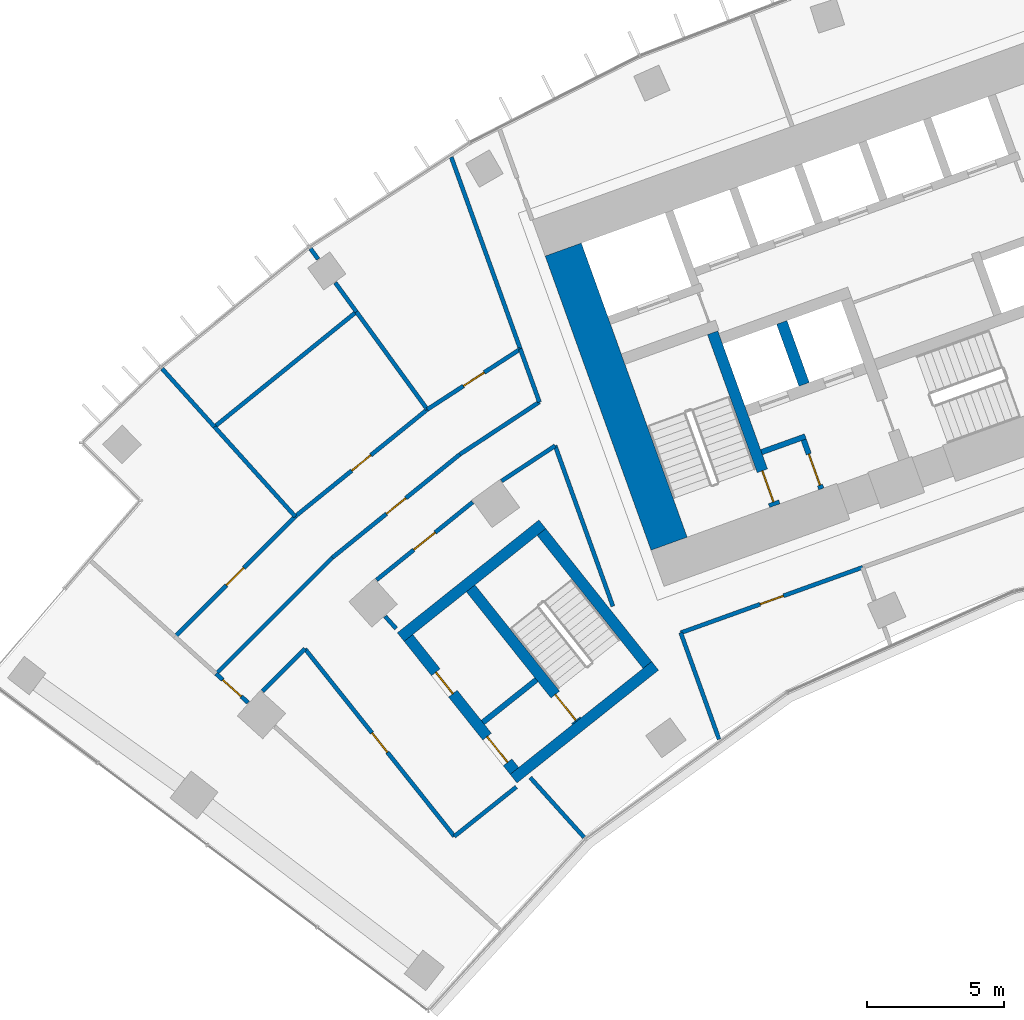
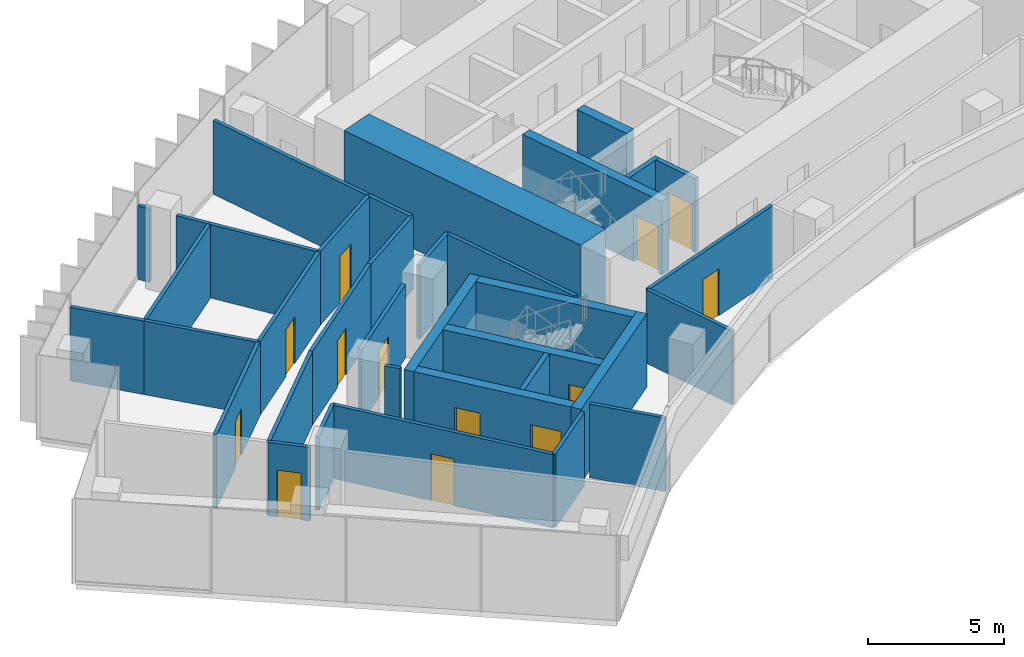
# One storey, part 14 of 21: 36 walls, 13 doors, 13 openings.
"""IFC4 building model written with IfcOpenShell, lengths in metres."""

import ifcopenshell
import ifcopenshell.guid

model = None  # the IFC model being written
_history = None  # IfcOwnerHistory: only IFC2X3 demands one
_inside = {}  # id of a spatial element -> (the spatial element, [elements in it])
_under = {}  # id of a project, library or spatial element -> (it, [spatial elements below it])
_declared = {}  # id of a project -> (the project, [libraries it declares])
_typed = {}  # id of a type object -> (the type object, [elements of that type])
_made_of = {}  # id of a material, layer set ... -> (it, [elements and type objects made of it])


def new_model(schema):
    """Start an empty IFC model of exactly this schema.

    Asked for "IFC4X3", IfcOpenShell would pick the latest addendum, in which some entities
    have other attributes; the version numbers below select the first issue.
    IFC2X3 requires an IfcOwnerHistory on every rooted entity: one is made here for all.
    """
    global model, _history
    if schema == "IFC4X3":
        model = ifcopenshell.file(schema_version=(4, 3, 0, 0))
    else:
        model = ifcopenshell.file(schema=schema)
    _inside.clear()
    _under.clear()
    _declared.clear()
    _typed.clear()
    _made_of.clear()
    _history = None
    if model.schema == "IFC2X3":
        org = make("IfcOrganization", Name="unknown")
        user = make(
            "IfcPersonAndOrganization",
            ThePerson=make("IfcPerson", FamilyName="unknown"),
            TheOrganization=org,
        )
        app = make(
            "IfcApplication",
            ApplicationDeveloper=org,
            Version="unknown",
            ApplicationFullName="unknown",
            ApplicationIdentifier="unknown",
        )
        _history = make(
            "IfcOwnerHistory",
            OwningUser=user,
            OwningApplication=app,
            ChangeAction="ADDED",
            CreationDate=0,
        )
    return model


def make(cls, **values):
    """One entity of the class cls with the attributes given. An attribute that is None is left unset."""
    return model.create_entity(
        cls, **{name: value for name, value in values.items() if value is not None}
    )


def rooted(cls, **values):
    """An entity with a GlobalId (a new one), such as an element, a storey or a relation."""
    return make(cls, GlobalId=ifcopenshell.guid.new(), OwnerHistory=_history, **values)


def si_unit(unit_type, name, prefix=None):
    """IfcSIUnit, for example si_unit("LENGTHUNIT", "METRE", prefix="MILLI")."""
    return make("IfcSIUnit", UnitType=unit_type, Prefix=prefix, Name=name)


def assignment(units):
    """IfcUnitAssignment: the units of a project."""
    return None if units is None else make("IfcUnitAssignment", Units=units)


def point(xyz):
    """IfcCartesianPoint."""
    return None if xyz is None else make("IfcCartesianPoint", Coordinates=xyz)


def direction(xyz):
    """IfcDirection."""
    return None if xyz is None else make("IfcDirection", DirectionRatios=xyz)


def frame(location, z_axis=None, x_axis=None):
    """IfcAxis2Placement3D, a coordinate frame: its origin and axes. An axis left out is left unset."""
    return make(
        "IfcAxis2Placement3D",
        Location=point(location),
        Axis=direction(z_axis),
        RefDirection=direction(x_axis),
    )


def frame_2d(location, x_axis=None):
    """IfcAxis2Placement2D, a coordinate frame in the plane: its origin and x axis."""
    return make(
        "IfcAxis2Placement2D", Location=point(location), RefDirection=direction(x_axis)
    )


def origin():
    """The frame at (0, 0, 0) with its axes left unset."""
    return frame((0.0, 0.0, 0.0))


def place(relative_to, where):
    """IfcLocalPlacement: puts the frame where relative to a parent placement (None: the world)."""
    return make(
        "IfcLocalPlacement", PlacementRelTo=relative_to, RelativePlacement=where
    )


def context(
    kind, dimensions, precision=None, world=None, true_north=None, identifier=None
):
    """IfcGeometricRepresentationContext, for example the 3D "Model" context."""
    return make(
        "IfcGeometricRepresentationContext",
        ContextIdentifier=identifier,
        ContextType=kind,
        CoordinateSpaceDimension=dimensions,
        Precision=precision,
        WorldCoordinateSystem=world,
        TrueNorth=true_north,
    )


def subcontext(parent, identifier, kind, view, scale=None):
    """IfcGeometricRepresentationSubContext, for example "Body" below "Model"."""
    return make(
        "IfcGeometricRepresentationSubContext",
        ContextIdentifier=identifier,
        ContextType=kind,
        ParentContext=parent,
        TargetScale=scale,
        TargetView=view,
    )


def project(units=None, contexts=None):
    """IfcProject with its units and contexts."""
    return rooted(
        "IfcProject",
        Name="project",
        RepresentationContexts=contexts,
        UnitsInContext=assignment(units),
    )


def spatial(cls, under=None, at=None, **own):
    """A site, building, storey or space (cls), placed at a placement, below another one or the project."""
    s = rooted(cls, ObjectPlacement=at, **own)
    if under is not None:
        _under.setdefault(under.id(), (under, []))[1].append(s)
    return s


def profile(cls, at=None, kind="AREA", **sizes):
    """A parametric profile (cls). Its sizes go by their IFC names, for example OverallWidth=200.0."""
    return make(cls, ProfileType=kind, Position=at, **sizes)


def rectangle(**sizes):
    """IfcRectangleProfileDef."""
    return profile("IfcRectangleProfileDef", **sizes)


def extrude(swept, where, along, depth):
    """IfcExtrudedAreaSolid: the profile swept, set in the frame where, extruded along a direction by depth."""
    return make(
        "IfcExtrudedAreaSolid",
        SweptArea=swept,
        Position=where,
        ExtrudedDirection=direction(along),
        Depth=depth,
    )


def shape(context_of_items, identifier, shape_type, items):
    """IfcShapeRepresentation: the items that make up one representation, for example the "Body"."""
    return make(
        "IfcShapeRepresentation",
        ContextOfItems=context_of_items,
        RepresentationIdentifier=identifier,
        RepresentationType=shape_type,
        Items=items,
    )


def material(Name=None, Category=None):
    """IfcMaterial."""
    return make("IfcMaterial", Name=Name, Category=Category)


def layer(
    of_material, thickness, ventilated=None, Name=None, Category=None, Priority=None
):
    """IfcMaterialLayer: one layer of a wall or slab, of a material (None: an air gap)."""
    return make(
        "IfcMaterialLayer",
        Material=of_material,
        LayerThickness=thickness,
        IsVentilated=ventilated,
        Name=Name,
        Category=Category,
        Priority=Priority,
    )


def layer_set(layers, Name=None):
    """IfcMaterialLayerSet."""
    return make("IfcMaterialLayerSet", MaterialLayers=layers, LayerSetName=Name)


def made_of(thing, what):
    """Note that an element or type object is made of a material, layer set ...; save() writes the relation."""
    if what is not None:
        _made_of.setdefault(what.id(), (what, []))[1].append(thing)
    return thing


def type_object(cls, material=None, **own):
    """A type object (cls), such as IfcWallType, which elements share."""
    return made_of(rooted(cls, **own), material)


def element(
    cls,
    number,
    at=None,
    inside=None,
    cuts=None,
    type_object=None,
    material=None,
    context=None,
    identifier="Body",
    shape_type=None,
    held_by="IfcProductDefinitionShape",
    body=None,
    shapes=None,
    **own,
):
    """One element of the class cls, such as IfcWall. Its Tag is "e" and its number.

    at: its placement. inside: the storey or other place that contains it. cuts: it is an
    opening in that element (IfcRelVoidsElement). A single representation is given by context,
    identifier, shape_type and body (its items); several are given by shapes. held_by: the class
    of the entity that holds the representations. save() writes the other relations.
    """
    e = rooted(cls, Tag="e%d" % number, ObjectPlacement=at, **own)
    if body is not None:
        shapes = [shape(context, identifier, shape_type, body)]
    if shapes is not None:
        e.Representation = make(held_by, Representations=shapes)
    if inside is not None:
        _inside.setdefault(inside.id(), (inside, []))[1].append(e)
    if cuts is not None:
        rooted(
            "IfcRelVoidsElement", RelatingBuildingElement=cuts, RelatedOpeningElement=e
        )
    if type_object is not None:
        _typed.setdefault(type_object.id(), (type_object, []))[1].append(e)
    return made_of(e, material)


def fill(opening, filler):
    """IfcRelFillsElement: the door or window that sits in an opening."""
    return rooted(
        "IfcRelFillsElement",
        RelatingOpeningElement=opening,
        RelatedBuildingElement=filler,
    )


def aggregate(whole, parts):
    """IfcRelAggregates: a whole, such as a stair, and the parts it consists of."""
    return rooted("IfcRelAggregates", RelatingObject=whole, RelatedObjects=parts)


def save(model, path):
    """Write the relations noted so far, then the file.

    IfcRelAggregates (storeys below a building ...), IfcRelContainedInSpatialStructure (elements
    in a storey), IfcRelDefinesByType, IfcRelAssociatesMaterial and IfcRelDeclares: one each for
    every whole, place, type object, material and project.
    """
    for whole, parts in _under.values():
        aggregate(whole, parts)
    for where, things in _inside.values():
        rooted(
            "IfcRelContainedInSpatialStructure",
            RelatedElements=things,
            RelatingStructure=where,
        )
    for kind, things in _typed.values():
        rooted("IfcRelDefinesByType", RelatedObjects=things, RelatingType=kind)
    for what, things in _made_of.values():
        rooted("IfcRelAssociatesMaterial", RelatedObjects=things, RelatingMaterial=what)
    for by, libraries in _declared.values():
        rooted("IfcRelDeclares", RelatingContext=by, RelatedDefinitions=libraries)
    model.write(path)


model = new_model("IFC4")

# Units and contexts
model_context = context("Model", 3, precision=1e-05, world=origin(), true_north=direction((0.0, 1.0)))
body_context = subcontext(model_context, "Body", "Model", "MODEL_VIEW")
ifc_project = project(units=[si_unit("LENGTHUNIT", "METRE"), si_unit("AREAUNIT", "SQUARE_METRE"), si_unit("VOLUMEUNIT", "CUBIC_METRE"), si_unit("PLANEANGLEUNIT", "RADIAN"), si_unit("MASSUNIT", "GRAM", prefix="KILO")], contexts=[model_context])

# Site, building, storey
site_placement = place(None, origin())
site = spatial("IfcSite", under=ifc_project, at=site_placement, CompositionType="ELEMENT")
building_placement = place(site_placement, origin())
building = spatial("IfcBuilding", under=site, at=building_placement, Name="Stone Belt Terrace Tower", CompositionType="ELEMENT")
storey_placement = place(building_placement, frame((0.0, 0.0, 189.60009765625)))
storey = spatial("IfcBuildingStorey", under=building, at=storey_placement, Name="L46", CompositionType="ELEMENT", Elevation=189.60009765625)

# Walls
ifc_material_1 = material(Name="Concrete B80", Category="concrete")
ifc_layer_1 = layer(ifc_material_1, 1.39990234375)
ifc_layer_set_1 = layer_set([ifc_layer_1], Name="Core wall 1400 B80")
wall_type_1 = type_object("IfcWallType", Name="Core wall 1400 B80", PredefinedType="SHEAR", material=ifc_layer_set_1)
wall_1_placement = place(storey_placement, frame((-26.00927734375, 43.03515625, 0.0), z_axis=(0.0, 0.0, 1.0), x_axis=(-0.338625431531, 0.940921259788, 0.0)))
element("IfcWall", 1, at=wall_1_placement, inside=storey, type_object=wall_type_1, Name="Core A wall end_a L46", PredefinedType="SHEAR", context=body_context, shape_type="SweptSolid", body=[
    extrude(rectangle(XDim=11.400146484375, YDim=1.39990234375, at=frame_2d((5.7001953125, 0.0))), origin(), (0.0, 0.0, 1.0), 3.7998046875),
])
ifc_layer_2 = layer(ifc_material_1, 0.39990234375)
ifc_layer_set_2 = layer_set([ifc_layer_2], Name="Fire-fighting lift shaft wall 400")
wall_type_2 = type_object("IfcWallType", Name="Fire-fighting lift shaft wall 400", PredefinedType="SHEAR", material=ifc_layer_set_2)
wall_2_placement = place(storey_placement, frame((-21.0859375, 48.845458984375, 0.0), z_axis=(0.0, 0.0, 1.0), x_axis=(-0.338629416206, 0.940919825745, 0.0)))
element("IfcWall", 2, at=wall_2_placement, inside=storey, type_object=wall_type_2, Name="Core A wall", PredefinedType="SHEAR", context=body_context, shape_type="SweptSolid", body=[
    extrude(rectangle(XDim=2.400146484375, YDim=0.39990234375, at=frame_2d((1.2001953125, 0.0))), origin(), (0.0, 0.0, 1.0), 3.2998046875),
])
ifc_material_2 = material(Name="Gypsum board partition")
ifc_layer_3 = layer(ifc_material_2, 0.14990234375)
ifc_layer_set_3 = layer_set([ifc_layer_3], Name="PARTITION 150 EI 60")
wall_type_3 = type_object("IfcWallType", Name="PARTITION 150 EI 60", PredefinedType="PARTITIONING", material=ifc_layer_set_3)
wall_3_placement = place(storey_placement, frame((-25.5859375, 39.79296875, 0.0), z_axis=(0.0, 0.0, 1.0), x_axis=(0.338545933013, -0.940949866486, 0.0)))
element("IfcWall", 3, at=wall_3_placement, inside=storey, type_object=wall_type_3, Name="L46/wall/i001", PredefinedType="PARTITIONING", context=body_context, shape_type="SweptSolid", body=[
    extrude(rectangle(XDim=4.135009765625, YDim=0.14990234375, at=frame_2d((2.0673828125, 0.0))), origin(), (0.0, 0.0, 1.0), 3.2998046875),
])
wall_4_placement = place(storey_placement, frame((-28.05810546875, 40.75390625, 0.0), z_axis=(0.0, 0.0, 1.0), x_axis=(-0.338523697563, 0.94095786632, 0.0)))
element("IfcWall", 4, at=wall_4_placement, inside=storey, type_object=wall_type_3, Name="L46/wall/i003", PredefinedType="PARTITIONING", context=body_context, shape_type="SweptSolid", body=[
    extrude(rectangle(XDim=6.226806640625, YDim=0.14990234375, at=frame_2d((3.11328125, 0.0))), origin(), (0.0, 0.0, 1.0), 3.2998046875),
])
wall_5_placement = place(storey_placement, frame((-29.107177734375, 32.32666015625, 0.0), z_axis=(0.0, 0.0, 1.0), x_axis=(-0.669245075227, 0.74304174128, 0.0)))
element("IfcWall", 5, at=wall_5_placement, inside=storey, type_object=wall_type_3, Name="L46/wall/i004", PredefinedType="PARTITIONING", context=body_context, shape_type="SweptSolid", body=[
    extrude(rectangle(XDim=2.9345703125, YDim=0.14990234375, at=frame_2d((1.46728515625, 0.0))), origin(), (0.0, 0.0, 1.0), 3.2998046875),
])
wall_6_placement = place(storey_placement, frame((-30.737060546875, 48.197021484375, 0.0), z_axis=(0.0, 0.0, 1.0), x_axis=(-0.338522672426, 0.940958235127, 0.0)))
element("IfcWall", 6, at=wall_6_placement, inside=storey, type_object=wall_type_3, Name="L46/wall/i005", PredefinedType="PARTITIONING", context=body_context, shape_type="SweptSolid", body=[
    extrude(rectangle(XDim=2.064697265625, YDim=0.14990234375, at=frame_2d((1.0322265625, 0.0))), origin(), (0.0, 0.0, 1.0), 3.2998046875),
])
wall_7_placement = place(storey_placement, frame((-31.431884765625, 50.12890625, 0.0), z_axis=(0.0, 0.0, 1.0), x_axis=(-0.338627692375, 0.940920446136, 0.0)))
element("IfcWall", 7, at=wall_7_placement, inside=storey, type_object=wall_type_3, Name="L46/wall/i006", PredefinedType="PARTITIONING", context=body_context, shape_type="SweptSolid", body=[
    extrude(rectangle(XDim=7.44189453125, YDim=0.14990234375, at=frame_2d((3.720947265625, 0.0))), origin(), (0.0, 0.0, 1.0), 3.2998046875),
])

# Wall, opening, door
wall_8_placement = place(storey_placement, frame((-18.947998046875, 42.175048828125, 0.0), z_axis=(0.0, 0.0, 1.0), x_axis=(-0.940933298145, -0.338591979293, 0.0)))
wall_8 = element("IfcWall", 8, at=wall_8_placement, inside=storey, type_object=wall_type_3, Name="L46/wall/i011", PredefinedType="PARTITIONING", context=body_context, shape_type="SweptSolid", body=[
    extrude(rectangle(XDim=7.052490234375, YDim=0.14990234375, at=frame_2d((3.5263671875, 0.0))), origin(), (0.0, 0.0, 1.0), 3.2998046875),
])
opening_1_placement = place(wall_8_placement, frame((3.076416015625, 0.0, 0.0)))
opening_1 = element("IfcOpeningElement", 9, at=opening_1_placement, cuts=wall_8, Name="Opening D-C5-01", PredefinedType="OPENING", context=body_context, shape_type="SweptSolid", body=[
    extrude(rectangle(XDim=0.89990234375, YDim=2.10009765625, at=frame_2d((0.449951171875, 1.050048828125))), frame((0.0, 0.0849609375, 0.0), z_axis=(0.0, -1.0, 0.0), x_axis=(1.0, 0.0, 0.0)), (0.0, 0.0, 1.0), 0.169921875),
])
ifc_material_3 = material(Name="Timber door leaf", Category="wood")
door_type_1 = type_object("IfcDoorType", Name="OFFICE DOOR 900 X 2100", OperationType="NOTDEFINED", PredefinedType="DOOR", material=ifc_material_3)
door_1_placement = place(opening_1_placement, origin())
door_1 = element("IfcDoor", 10, at=door_1_placement, inside=storey, type_object=door_type_1, Name="L46/door/i01", OperationType="SINGLE_SWING_RIGHT", OverallHeight=2.10009765625, OverallWidth=0.89990234375, PredefinedType="DOOR", context=body_context, shape_type="SweptSolid", body=[
    extrude(rectangle(XDim=0.89990234375, YDim=2.10009765625, at=frame_2d((0.449951171875, 1.050048828125))), frame((0.0, 0.02490234375, 0.0), z_axis=(0.0, -1.0, 0.0), x_axis=(1.0, 0.0, 0.0)), (0.0, 0.0, 1.0), 0.050048828125),
])
fill(opening_1, door_1)

wall_9_placement = place(storey_placement, frame((-41.35986328125, 37.240478515625, 0.0), z_axis=(0.0, 0.0, 1.0), x_axis=(-0.742885543222, 0.669418456327, 0.0)))
wall_9 = element("IfcWall", 11, at=wall_9_placement, inside=storey, type_object=wall_type_3, Name="L46/wall/i029", PredefinedType="PARTITIONING", context=body_context, shape_type="SweptSolid", body=[
    extrude(rectangle(XDim=1.5751953125, YDim=0.14990234375, at=frame_2d((0.78759765625, 0.0))), origin(), (0.0, 0.0, 1.0), 3.2998046875),
])
opening_2_placement = place(wall_9_placement, frame((0.337646484375, 0.0, 0.0)))
opening_2 = element("IfcOpeningElement", 12, at=opening_2_placement, cuts=wall_9, Name="Opening D-C5-09", PredefinedType="OPENING", context=body_context, shape_type="SweptSolid", body=[
    extrude(rectangle(XDim=0.89990234375, YDim=2.10009765625, at=frame_2d((0.449951171875, 1.050048828125))), frame((0.0, 0.0849609375, 0.0), z_axis=(0.0, -1.0, 0.0), x_axis=(1.0, 0.0, 0.0)), (0.0, 0.0, 1.0), 0.169921875),
])
ifc_material_4 = material(Name="Timber fire door leaf", Category="wood")
door_type_2 = type_object("IfcDoorType", Name="TENANCY ENTRANCE DOOR 900 X 2100", OperationType="NOTDEFINED", PredefinedType="DOOR", material=ifc_material_4)
door_2_placement = place(opening_2_placement, origin())
door_2 = element("IfcDoor", 13, at=door_2_placement, inside=storey, type_object=door_type_2, Name="L46/door/i09", OperationType="SINGLE_SWING_RIGHT", OverallHeight=2.10009765625, OverallWidth=0.89990234375, PredefinedType="DOOR", context=body_context, shape_type="SweptSolid", body=[
    extrude(rectangle(XDim=0.89990234375, YDim=2.10009765625, at=frame_2d((0.449951171875, 1.050048828125))), frame((0.0, 0.02490234375, 0.0), z_axis=(0.0, -1.0, 0.0), x_axis=(1.0, 0.0, 0.0)), (0.0, 0.0, 1.0), 0.050048828125),
])
fill(opening_2, door_2)

# Wall
wall_10_placement = place(storey_placement, frame((-30.1640625, 46.60693359375, 0.0), z_axis=(0.0, 0.0, 1.0), x_axis=(-0.835406992815, -0.549631837102, 0.0)))
element("IfcWall", 14, at=wall_10_placement, inside=storey, type_object=wall_type_3, Name="L46/wall/i033", PredefinedType="PARTITIONING", context=body_context, shape_type="SweptSolid", body=[
    extrude(rectangle(XDim=2.339111328125, YDim=0.14990234375, at=frame_2d((1.16943359375, 0.0))), origin(), (0.0, 0.0, 1.0), 3.2998046875),
])

# Wall, opening, door
wall_11_placement = place(storey_placement, frame((-33.17578125, 44.548095703125, 0.0), z_axis=(0.0, 0.0, 1.0), x_axis=(-0.777148951547, -0.629316698578, 0.0)))
wall_11 = element("IfcWall", 15, at=wall_11_placement, inside=storey, type_object=wall_type_3, Name="L46/wall/i034", PredefinedType="PARTITIONING", context=body_context, shape_type="SweptSolid", body=[
    extrude(rectangle(XDim=4.505126953125, YDim=0.14990234375, at=frame_2d((2.25244140625, 0.0))), origin(), (0.0, 0.0, 1.0), 3.2998046875),
])
opening_3_placement = place(wall_11_placement, frame((1.752685546875, 0.0, 0.0)))
opening_3 = element("IfcOpeningElement", 16, at=opening_3_placement, cuts=wall_11, Name="Opening D-C5-10", PredefinedType="OPENING", context=body_context, shape_type="SweptSolid", body=[
    extrude(rectangle(XDim=1.0, YDim=2.10009765625, at=frame_2d((0.5, 1.050048828125))), frame((0.0, 0.0849609375, 0.0), z_axis=(0.0, -1.0, 0.0), x_axis=(1.0, 0.0, 0.0)), (0.0, 0.0, 1.0), 0.169921875),
])
door_type_3 = type_object("IfcDoorType", Name="TENANCY ENTRANCE DOOR 1000 X 2100", OperationType="NOTDEFINED", PredefinedType="DOOR", material=ifc_material_4)
door_3_placement = place(opening_3_placement, origin())
door_3 = element("IfcDoor", 17, at=door_3_placement, inside=storey, type_object=door_type_3, Name="L46/door/i10", OperationType="SINGLE_SWING_RIGHT", OverallHeight=2.10009765625, OverallWidth=1.0, PredefinedType="DOOR", context=body_context, shape_type="SweptSolid", body=[
    extrude(rectangle(XDim=1.0, YDim=2.10009765625, at=frame_2d((0.5, 1.050048828125))), frame((0.0, 0.02490234375, 0.0), z_axis=(0.0, -1.0, 0.0), x_axis=(1.0, 0.0, 0.0)), (0.0, 0.0, 1.0), 0.050048828125),
])
fill(opening_3, door_3)

# Walls
wall_12_placement = place(storey_placement, frame((-39.281982421875, 39.205078125, 0.0), z_axis=(0.0, 0.0, 1.0), x_axis=(-0.707106781187, -0.707106781187, 0.0)))
element("IfcWall", 18, at=wall_12_placement, inside=storey, type_object=wall_type_3, Name="L46/wall/i035", PredefinedType="PARTITIONING", context=body_context, shape_type="SweptSolid", body=[
    extrude(rectangle(XDim=2.1982421875, YDim=0.14990234375, at=frame_2d((1.09912109375, 0.0))), origin(), (0.0, 0.0, 1.0), 3.2998046875),
])
wall_13_placement = place(storey_placement, frame((-42.52587890625, 38.291015625, 0.0), z_axis=(0.0, 0.0, 1.0), x_axis=(0.707106781187, 0.707106781187, 0.0)))
element("IfcWall", 19, at=wall_13_placement, inside=storey, type_object=wall_type_3, Name="L46/wall/i036", PredefinedType="PARTITIONING", context=body_context, shape_type="SweptSolid", body=[
    extrude(rectangle(XDim=5.989013671875, YDim=0.14990234375, at=frame_2d((2.99462890625, 0.0))), origin(), (0.0, 0.0, 1.0), 3.2998046875),
])

# Wall, opening, door
wall_14_placement = place(storey_placement, frame((-38.291015625, 42.52587890625, 0.0), z_axis=(0.0, 0.0, 1.0), x_axis=(0.777109127033, 0.629365875054, 0.0)))
wall_14 = element("IfcWall", 20, at=wall_14_placement, inside=storey, type_object=wall_type_3, Name="L46/wall/i037", PredefinedType="PARTITIONING", context=body_context, shape_type="SweptSolid", body=[
    extrude(rectangle(XDim=5.990234375, YDim=0.14990234375, at=frame_2d((2.9951171875, 0.0))), origin(), (0.0, 0.0, 1.0), 3.2998046875),
])
opening_4_placement = place(wall_14_placement, frame((2.545166015625, 0.0, 0.0)))
opening_4 = element("IfcOpeningElement", 21, at=opening_4_placement, cuts=wall_14, Name="Opening D-C5-12", PredefinedType="OPENING", context=body_context, shape_type="SweptSolid", body=[
    extrude(rectangle(XDim=0.89990234375, YDim=2.10009765625, at=frame_2d((0.449951171875, 1.050048828125))), frame((0.0, 0.0849609375, 0.0), z_axis=(0.0, -1.0, 0.0), x_axis=(1.0, 0.0, 0.0)), (0.0, 0.0, 1.0), 0.169921875),
])
door_4_placement = place(opening_4_placement, origin())
door_4 = element("IfcDoor", 22, at=door_4_placement, inside=storey, type_object=door_type_1, Name="L46/door/i12", OperationType="SINGLE_SWING_RIGHT", OverallHeight=2.10009765625, OverallWidth=0.89990234375, PredefinedType="DOOR", context=body_context, shape_type="SweptSolid", body=[
    extrude(rectangle(XDim=0.89990234375, YDim=2.10009765625, at=frame_2d((0.449951171875, 1.050048828125))), frame((0.0, 0.02490234375, 0.0), z_axis=(0.0, -1.0, 0.0), x_axis=(1.0, 0.0, 0.0)), (0.0, 0.0, 1.0), 0.050048828125),
])
fill(opening_4, door_4)

# Walls
wall_15_placement = place(storey_placement, frame((-33.635986328125, 46.2958984375, 0.0), z_axis=(0.0, 0.0, 1.0), x_axis=(0.835274160171, 0.549833681535, 0.0)))
element("IfcWall", 23, at=wall_15_placement, inside=storey, type_object=wall_type_3, Name="L46/wall/i038", PredefinedType="PARTITIONING", context=body_context, shape_type="SweptSolid", body=[
    extrude(rectangle(XDim=3.46826171875, YDim=0.14990234375, at=frame_2d((1.734130859375, 0.0))), origin(), (0.0, 0.0, 1.0), 3.2998046875),
])
wall_16_placement = place(storey_placement, frame((-36.364013671875, 40.38623046875, 0.0), z_axis=(0.0, 0.0, 1.0), x_axis=(0.668964731622, -0.743294146247, 0.0)))
element("IfcWall", 24, at=wall_16_placement, inside=storey, type_object=wall_type_3, Name="L46/wall/i039", PredefinedType="PARTITIONING", context=body_context, shape_type="SweptSolid", body=[
    extrude(rectangle(XDim=0.597900390625, YDim=0.14990234375, at=frame_2d((0.298828125, 0.0))), origin(), (0.0, 0.0, 1.0), 3.2998046875),
])
wall_17_placement = place(storey_placement, frame((-31.58203125, 34.1640625, 0.0), z_axis=(0.0, 0.0, 1.0), x_axis=(-0.78211299795, -0.623136629029, 0.0)))
element("IfcWall", 25, at=wall_17_placement, inside=storey, type_object=wall_type_3, Name="L46/wall/i040", PredefinedType="PARTITIONING", context=body_context, shape_type="SweptSolid", body=[
    extrude(rectangle(XDim=2.88720703125, YDim=0.14990234375, at=frame_2d((1.443603515625, 0.0))), origin(), (0.0, 0.0, 1.0), 3.2998046875),
])

# Wall, opening, door
wall_18_placement = place(storey_placement, frame((-33.841064453125, 32.365966796875, 0.0), z_axis=(0.0, 0.0, 1.0), x_axis=(-0.623078744687, 0.782159112917, 0.0)))
wall_18 = element("IfcWall", 26, at=wall_18_placement, inside=storey, type_object=wall_type_3, Name="L46/wall/i041", PredefinedType="PARTITIONING", context=body_context, shape_type="SweptSolid", body=[
    extrude(rectangle(XDim=8.738525390625, YDim=0.14990234375, at=frame_2d((4.369140625, 0.0))), origin(), (0.0, 0.0, 1.0), 3.2998046875),
])
opening_5_placement = place(wall_18_placement, frame((3.91943359375, 0.0, 0.0)))
opening_5 = element("IfcOpeningElement", 27, at=opening_5_placement, cuts=wall_18, Name="Opening D-C5-11", PredefinedType="OPENING", context=body_context, shape_type="SweptSolid", body=[
    extrude(rectangle(XDim=0.89990234375, YDim=2.10009765625, at=frame_2d((0.449951171875, 1.050048828125))), frame((0.0, 0.0849609375, 0.0), z_axis=(0.0, -1.0, 0.0), x_axis=(1.0, 0.0, 0.0)), (0.0, 0.0, 1.0), 0.169921875),
])
door_5_placement = place(opening_5_placement, origin())
door_5 = element("IfcDoor", 28, at=door_5_placement, inside=storey, type_object=door_type_1, Name="L46/door/i11", OperationType="SINGLE_SWING_RIGHT", OverallHeight=2.10009765625, OverallWidth=0.89990234375, PredefinedType="DOOR", context=body_context, shape_type="SweptSolid", body=[
    extrude(rectangle(XDim=0.89990234375, YDim=2.10009765625, at=frame_2d((0.449951171875, 1.050048828125))), frame((0.0, 0.02490234375, 0.0), z_axis=(0.0, -1.0, 0.0), x_axis=(1.0, 0.0, 0.0)), (0.0, 0.0, 1.0), 0.050048828125),
])
fill(opening_5, door_5)

wall_19_placement = place(storey_placement, frame((-44.029052734375, 39.64501953125, 0.0), z_axis=(0.0, 0.0, 1.0), x_axis=(0.707106781187, 0.707106781187, 0.0)))
wall_19 = element("IfcWall", 29, at=wall_19_placement, inside=storey, type_object=wall_type_3, Name="L46/wall/i042", PredefinedType="PARTITIONING", context=body_context, shape_type="SweptSolid", body=[
    extrude(rectangle(XDim=6.201416015625, YDim=0.14990234375, at=frame_2d((3.1005859375, 0.0))), origin(), (0.0, 0.0, 1.0), 3.2998046875),
])
opening_6_placement = place(wall_19_placement, frame((2.650634765625, 0.0, 0.0)))
opening_6 = element("IfcOpeningElement", 30, at=opening_6_placement, cuts=wall_19, Name="Opening D-C5-13", PredefinedType="OPENING", context=body_context, shape_type="SweptSolid", body=[
    extrude(rectangle(XDim=0.89990234375, YDim=2.10009765625, at=frame_2d((0.449951171875, 1.050048828125))), frame((0.0, 0.0849609375, 0.0), z_axis=(0.0, -1.0, 0.0), x_axis=(1.0, 0.0, 0.0)), (0.0, 0.0, 1.0), 0.169921875),
])
door_6_placement = place(opening_6_placement, origin())
door_6 = element("IfcDoor", 31, at=door_6_placement, inside=storey, type_object=door_type_1, Name="L46/door/i13", OperationType="SINGLE_SWING_RIGHT", OverallHeight=2.10009765625, OverallWidth=0.89990234375, PredefinedType="DOOR", context=body_context, shape_type="SweptSolid", body=[
    extrude(rectangle(XDim=0.89990234375, YDim=2.10009765625, at=frame_2d((0.449951171875, 1.050048828125))), frame((0.0, 0.02490234375, 0.0), z_axis=(0.0, -1.0, 0.0), x_axis=(1.0, 0.0, 0.0)), (0.0, 0.0, 1.0), 0.050048828125),
])
fill(opening_6, door_6)

wall_20_placement = place(storey_placement, frame((-39.64404296875, 44.030029296875, 0.0), z_axis=(0.0, 0.0, 1.0), x_axis=(0.777190769916, 0.629265053184, 0.0)))
wall_20 = element("IfcWall", 32, at=wall_20_placement, inside=storey, type_object=wall_type_3, Name="L46/wall/i043", PredefinedType="PARTITIONING", context=body_context, shape_type="SweptSolid", body=[
    extrude(rectangle(XDim=6.20068359375, YDim=0.14990234375, at=frame_2d((3.100341796875, 0.0))), origin(), (0.0, 0.0, 1.0), 3.2998046875),
])
opening_7_placement = place(wall_20_placement, frame((2.650390625, 0.0, 0.0)))
opening_7 = element("IfcOpeningElement", 33, at=opening_7_placement, cuts=wall_20, Name="Opening D-C5-14", PredefinedType="OPENING", context=body_context, shape_type="SweptSolid", body=[
    extrude(rectangle(XDim=0.89990234375, YDim=2.10009765625, at=frame_2d((0.449951171875, 1.050048828125))), frame((0.0, 0.0849609375, 0.0), z_axis=(0.0, -1.0, 0.0), x_axis=(1.0, 0.0, 0.0)), (0.0, 0.0, 1.0), 0.169921875),
])
door_7_placement = place(opening_7_placement, origin())
door_7 = element("IfcDoor", 34, at=door_7_placement, inside=storey, type_object=door_type_1, Name="L46/door/i14", OperationType="SINGLE_SWING_RIGHT", OverallHeight=2.10009765625, OverallWidth=0.89990234375, PredefinedType="DOOR", context=body_context, shape_type="SweptSolid", body=[
    extrude(rectangle(XDim=0.89990234375, YDim=2.10009765625, at=frame_2d((0.449951171875, 1.050048828125))), frame((0.0, 0.02490234375, 0.0), z_axis=(0.0, -1.0, 0.0), x_axis=(1.0, 0.0, 0.0)), (0.0, 0.0, 1.0), 0.050048828125),
])
fill(opening_7, door_7)

wall_21_placement = place(storey_placement, frame((-34.824951171875, 47.931884765625, 0.0), z_axis=(0.0, 0.0, 1.0), x_axis=(0.838660143757, 0.544655086521, 0.0)))
wall_21 = element("IfcWall", 35, at=wall_21_placement, inside=storey, type_object=wall_type_3, Name="L46/wall/i044", PredefinedType="PARTITIONING", context=body_context, shape_type="SweptSolid", body=[
    extrude(rectangle(XDim=4.043212890625, YDim=0.14990234375, at=frame_2d((2.021484375, 0.0))), origin(), (0.0, 0.0, 1.0), 3.2998046875),
])
opening_8_placement = place(wall_21_placement, frame((1.571533203125, 0.0, 0.0)))
opening_8 = element("IfcOpeningElement", 36, at=opening_8_placement, cuts=wall_21, Name="Opening D-C5-15", PredefinedType="OPENING", context=body_context, shape_type="SweptSolid", body=[
    extrude(rectangle(XDim=0.89990234375, YDim=2.10009765625, at=frame_2d((0.449951171875, 1.050048828125))), frame((0.0, 0.0849609375, 0.0), z_axis=(0.0, -1.0, 0.0), x_axis=(1.0, 0.0, 0.0)), (0.0, 0.0, 1.0), 0.169921875),
])
door_8_placement = place(opening_8_placement, origin())
door_8 = element("IfcDoor", 37, at=door_8_placement, inside=storey, type_object=door_type_1, Name="L46/door/i15", OperationType="SINGLE_SWING_RIGHT", OverallHeight=2.10009765625, OverallWidth=0.89990234375, PredefinedType="DOOR", context=body_context, shape_type="SweptSolid", body=[
    extrude(rectangle(XDim=0.89990234375, YDim=2.10009765625, at=frame_2d((0.449951171875, 1.050048828125))), frame((0.0, 0.02490234375, 0.0), z_axis=(0.0, -1.0, 0.0), x_axis=(1.0, 0.0, 0.0)), (0.0, 0.0, 1.0), 0.050048828125),
])
fill(opening_8, door_8)

# Walls
wall_22_placement = place(storey_placement, frame((-42.592041015625, 47.302978515625, 0.0), z_axis=(0.0, 0.0, 1.0), x_axis=(0.669258646934, -0.74302951725, 0.0)))
element("IfcWall", 38, at=wall_22_placement, inside=storey, type_object=wall_type_3, Name="L46/wall/i045", PredefinedType="PARTITIONING", context=body_context, shape_type="SweptSolid", body=[
    extrude(rectangle(XDim=4.40478515625, YDim=0.14990234375, at=frame_2d((2.202392578125, 0.0))), origin(), (0.0, 0.0, 1.0), 3.2998046875),
])
wall_23_placement = place(storey_placement, frame((-44.496826171875, 49.41943359375, 0.0), z_axis=(0.0, 0.0, 1.0), x_axis=(0.66894586308, -0.743311127502, 0.0)))
element("IfcWall", 39, at=wall_23_placement, inside=storey, type_object=wall_type_3, Name="L46/wall/i046", PredefinedType="PARTITIONING", context=body_context, shape_type="SweptSolid", body=[
    extrude(rectangle(XDim=2.859375, YDim=0.14990234375, at=frame_2d((1.4296875, 0.0))), origin(), (0.0, 0.0, 1.0), 3.2998046875),
])
wall_24_placement = place(storey_placement, frame((-42.587890625, 47.299072265625, 0.0), z_axis=(0.0, 0.0, 1.0), x_axis=(0.777100621569, 0.629376377025, 0.0)))
element("IfcWall", 40, at=wall_24_placement, inside=storey, type_object=wall_type_3, Name="L46/wall/i047", PredefinedType="PARTITIONING", context=body_context, shape_type="SweptSolid", body=[
    extrude(rectangle(XDim=6.661865234375, YDim=0.14990234375, at=frame_2d((3.3310546875, 0.0))), origin(), (0.0, 0.0, 1.0), 3.2998046875),
])
wall_25_placement = place(storey_placement, frame((-37.410888671875, 51.491943359375, 0.0), z_axis=(0.0, 0.0, 1.0), x_axis=(0.587696525109, -0.809081451014, 0.0)))
element("IfcWall", 41, at=wall_25_placement, inside=storey, type_object=wall_type_3, Name="L46/wall/i048", PredefinedType="PARTITIONING", context=body_context, shape_type="SweptSolid", body=[
    extrude(rectangle(XDim=4.400146484375, YDim=0.14990234375, at=frame_2d((2.2001953125, 0.0))), origin(), (0.0, 0.0, 1.0), 3.2998046875),
])
wall_26_placement = place(storey_placement, frame((-39.087890625, 53.7998046875, 0.0), z_axis=(0.0, 0.0, 1.0), x_axis=(0.587839914735, -0.808977276964, 0.0)))
element("IfcWall", 42, at=wall_26_placement, inside=storey, type_object=wall_type_3, Name="L46/wall/i049", PredefinedType="PARTITIONING", context=body_context, shape_type="SweptSolid", body=[
    extrude(rectangle(XDim=0.4814453125, YDim=0.14990234375, at=frame_2d((0.24072265625, 0.0))), origin(), (0.0, 0.0, 1.0), 3.2998046875),
])
wall_27_placement = place(storey_placement, frame((-38.181884765625, 52.552978515625, 0.0), z_axis=(0.0, 0.0, 1.0), x_axis=(0.587839609229, -0.808977498958, 0.0)))
element("IfcWall", 43, at=wall_27_placement, inside=storey, type_object=wall_type_3, Name="L46/wall/i050", PredefinedType="PARTITIONING", context=body_context, shape_type="SweptSolid", body=[
    extrude(rectangle(XDim=1.3115234375, YDim=0.14990234375, at=frame_2d((0.65576171875, 0.0))), origin(), (0.0, 0.0, 1.0), 3.2998046875),
])
ifc_material_5 = material(Name="Concrete masonry block", Category="masonry")
ifc_layer_4 = layer(ifc_material_5, 0.199951171875)
ifc_layer_set_4 = layer_set([ifc_layer_4], Name="Rated lobby wall 200")
wall_type_4 = type_object("IfcWallType", Name="Rated lobby wall 200", PredefinedType="PARTITIONING", material=ifc_layer_set_4)
wall_28_placement = place(storey_placement, frame((-22.640625, 46.373046875, 0.0), z_axis=(0.0, 0.0, 1.0), x_axis=(0.940966110313, 0.338500781747, 0.0)))
element("IfcWall", 44, at=wall_28_placement, inside=storey, type_object=wall_type_4, Name="Core A wall", PredefinedType="PARTITIONING", context=body_context, shape_type="SweptSolid", body=[
    extrude(rectangle(XDim=1.699951171875, YDim=0.199951171875, at=frame_2d((0.85009765625, 0.0))), origin(), (0.0, 0.0, 1.0), 3.2998046875),
])

# Wall, opening, door
wall_29_placement = place(storey_placement, frame((-20.4580078125, 45.032958984375, 0.0), z_axis=(0.0, 0.0, 1.0), x_axis=(-0.338573865316, 0.940939816208, 0.0)))
wall_29 = element("IfcWall", 45, at=wall_29_placement, inside=storey, type_object=wall_type_4, Name="Core A wall", PredefinedType="PARTITIONING", context=body_context, shape_type="SweptSolid", body=[
    extrude(rectangle(XDim=1.900146484375, YDim=0.199951171875, at=frame_2d((0.9501953125, 0.0))), origin(), (0.0, 0.0, 1.0), 3.2998046875),
])
opening_9_placement = place(wall_29_placement, frame((0.14990234375, 0.0, 0.0)))
opening_9 = element("IfcOpeningElement", 46, at=opening_9_placement, cuts=wall_29, Name="Opening L46-C06", PredefinedType="OPENING", context=body_context, shape_type="SweptSolid", body=[
    extrude(rectangle(XDim=1.199951171875, YDim=2.10009765625, at=frame_2d((0.60009765625, 1.050048828125))), frame((0.0, 0.10986328125, 0.0), z_axis=(0.0, -1.0, 0.0), x_axis=(1.0, 0.0, 0.0)), (0.0, 0.0, 1.0), 0.219970703125),
])
ifc_material_6 = material(Name="Steel door leaf", Category="steel")
door_type_4 = type_object("IfcDoorType", Name="Stair door 1200", OperationType="SINGLE_SWING_LEFT", PredefinedType="DOOR", material=ifc_material_6)
door_9_placement = place(opening_9_placement, origin())
door_9 = element("IfcDoor", 47, at=door_9_placement, inside=storey, type_object=door_type_4, Name="Stair airlock door core A", OperationType="SINGLE_SWING_LEFT", OverallHeight=2.10009765625, OverallWidth=1.199951171875, PredefinedType="DOOR", context=body_context, shape_type="SweptSolid", body=[
    extrude(rectangle(XDim=1.199951171875, YDim=2.10009765625, at=frame_2d((0.60009765625, 1.050048828125))), frame((0.0, 0.02490234375, 0.0), z_axis=(0.0, -1.0, 0.0), x_axis=(1.0, 0.0, 0.0)), (0.0, 0.0, 1.0), 0.050048828125),
])
fill(opening_9, door_9)

# Wall
wall_30_placement = place(storey_placement, frame((-30.845703125, 38.074951171875, 0.0), z_axis=(0.0, 0.0, 1.0), x_axis=(-0.782115323833, -0.623133709749, 0.0)))
element("IfcWall", 48, at=wall_30_placement, inside=storey, type_object=wall_type_4, Name="Exit stair ST3A wall", PredefinedType="PARTITIONING", context=body_context, shape_type="SweptSolid", body=[
    extrude(rectangle(XDim=2.5, YDim=0.199951171875, at=frame_2d((1.25, 0.0))), origin(), (0.0, 0.0, 1.0), 3.2998046875),
])

# Wall, opening, door
ifc_layer_5 = layer(ifc_material_1, 0.39990234375)
ifc_layer_set_5 = layer_set([ifc_layer_5], Name="Stair enclosure wall 400")
wall_type_5 = type_object("IfcWallType", Name="Stair enclosure wall 400", PredefinedType="SHEAR", material=ifc_layer_set_5)
wall_31_placement = place(storey_placement, frame((-22.151611328125, 44.42333984375, 0.0), z_axis=(0.0, 0.0, 1.0), x_axis=(-0.338625272931, 0.940921316866, 0.0)))
wall_31 = element("IfcWall", 49, at=wall_31_placement, inside=storey, type_object=wall_type_5, Name="Core A wall", PredefinedType="SHEAR", context=body_context, shape_type="SweptSolid", body=[
    extrude(rectangle(XDim=6.699951171875, YDim=0.39990234375, at=frame_2d((3.35009765625, 0.0))), origin(), (0.0, 0.0, 1.0), 3.2998046875),
])
opening_10_placement = place(wall_31_placement, frame((0.14990234375, 0.0, 0.0)))
opening_10 = element("IfcOpeningElement", 50, at=opening_10_placement, cuts=wall_31, Name="Opening L46-C05", PredefinedType="OPENING", context=body_context, shape_type="SweptSolid", body=[
    extrude(rectangle(XDim=1.199951171875, YDim=2.10009765625, at=frame_2d((0.60009765625, 1.050048828125))), frame((0.0, 0.2099609375, 0.0), z_axis=(0.0, -1.0, 0.0), x_axis=(1.0, 0.0, 0.0)), (0.0, 0.0, 1.0), 0.419921875),
])
door_10_placement = place(opening_10_placement, origin())
door_10 = element("IfcDoor", 51, at=door_10_placement, inside=storey, type_object=door_type_4, Name="Stair 1 door core A", OperationType="SINGLE_SWING_LEFT", OverallHeight=2.10009765625, OverallWidth=1.199951171875, PredefinedType="DOOR", context=body_context, shape_type="SweptSolid", body=[
    extrude(rectangle(XDim=1.199951171875, YDim=2.10009765625, at=frame_2d((0.60009765625, 1.050048828125))), frame((0.0, 0.02490234375, 0.0), z_axis=(0.0, -1.0, 0.0), x_axis=(1.0, 0.0, 0.0)), (0.0, 0.0, 1.0), 0.050048828125),
])
fill(opening_10, door_10)

# Walls
for number, where, z_axis, x_axis, name in (
    (52, (-26.518798828125, 38.58154296875, 0.0), (0.0, 0.0, 1.0), (-0.782133914161, -0.623110375711, 0.0), "Exit stair ST3A wall"),
    (53, (-30.63134765625, 43.74365234375, 0.0), (0.0, 0.0, 1.0), (-0.782133914161, -0.623110375711, 0.0), "Exit stair ST3A wall"),
):
    element("IfcWall", number, at=place(storey_placement, frame(where, z_axis=z_axis, x_axis=x_axis)), inside=storey, type_object=wall_type_5, Name=name, PredefinedType="SHEAR", context=body_context, shape_type="SweptSolid", body=[
        extrude(rectangle(XDim=6.60009765625, YDim=0.39990234375, at=frame_2d((3.300048828125, 0.0))), origin(), (0.0, 0.0, 1.0), 3.2998046875),
    ])
wall_32_placement = place(storey_placement, frame((-26.7998046875, 38.61328125, 0.0), z_axis=(0.0, 0.0, 1.0), x_axis=(-0.623118653668, 0.782127319208, 0.0)))
element("IfcWall", 54, at=wall_32_placement, inside=storey, type_object=wall_type_5, Name="Exit stair ST3A wall", PredefinedType="SHEAR", context=body_context, shape_type="SweptSolid", body=[
    extrude(rectangle(XDim=6.199951171875, YDim=0.39990234375, at=frame_2d((3.10009765625, 0.0))), origin(), (0.0, 0.0, 1.0), 3.2998046875),
])

# Wall, openings, doors
wall_33_placement = place(storey_placement, frame((-31.64892578125, 34.75, 0.0), z_axis=(0.0, 0.0, 1.0), x_axis=(-0.623118653668, 0.782127319208, 0.0)))
wall_33 = element("IfcWall", 55, at=wall_33_placement, inside=storey, type_object=wall_type_5, Name="Exit stair ST3A wall", PredefinedType="SHEAR", context=body_context, shape_type="SweptSolid", body=[
    extrude(rectangle(XDim=6.199951171875, YDim=0.39990234375, at=frame_2d((3.10009765625, 0.0))), origin(), (0.0, 0.0, 1.0), 3.2998046875),
])
opening_11_placement = place(wall_33_placement, frame((0.39990234375, 0.0, 0.0)))
opening_11 = element("IfcOpeningElement", 56, at=opening_11_placement, cuts=wall_33, Name="Opening L46-C22", PredefinedType="OPENING", context=body_context, shape_type="SweptSolid", body=[
    extrude(rectangle(XDim=1.199951171875, YDim=2.10009765625, at=frame_2d((0.60009765625, 1.050048828125))), frame((0.0, 0.2099609375, 0.0), z_axis=(0.0, -1.0, 0.0), x_axis=(1.0, 0.0, 0.0)), (0.0, 0.0, 1.0), 0.419921875),
])
opening_12_placement = place(wall_33_placement, frame((3.60009765625, 0.0, 0.0)))
opening_12 = element("IfcOpeningElement", 57, at=opening_12_placement, cuts=wall_33, Name="Opening L46-C23", PredefinedType="OPENING", context=body_context, shape_type="SweptSolid", body=[
    extrude(rectangle(XDim=1.0, YDim=2.10009765625, at=frame_2d((0.5, 1.050048828125))), frame((0.0, 0.2099609375, 0.0), z_axis=(0.0, -1.0, 0.0), x_axis=(1.0, 0.0, 0.0)), (0.0, 0.0, 1.0), 0.419921875),
])
door_type_5 = type_object("IfcDoorType", Name="Core room door 1000", OperationType="SINGLE_SWING_LEFT", PredefinedType="DOOR", material=ifc_material_3)
door_11_placement = place(opening_12_placement, origin())
door_11 = element("IfcDoor", 58, at=door_11_placement, inside=storey, type_object=door_type_5, Name="Door to stair pressurisation plant room ST3A", OperationType="SINGLE_SWING_RIGHT", OverallHeight=2.10009765625, OverallWidth=1.0, PredefinedType="DOOR", context=body_context, shape_type="SweptSolid", body=[
    extrude(rectangle(XDim=1.0, YDim=2.10009765625, at=frame_2d((0.5, 1.050048828125))), frame((0.0, 0.02490234375, 0.0), z_axis=(0.0, -1.0, 0.0), x_axis=(1.0, 0.0, 0.0)), (0.0, 0.0, 1.0), 0.050048828125),
])
fill(opening_12, door_11)
door_type_6 = type_object("IfcDoorType", Name="Stair airlock door 1200", OperationType="SINGLE_SWING_LEFT", PredefinedType="DOOR", material=ifc_material_6)
door_12_placement = place(opening_11_placement, origin())
door_12 = element("IfcDoor", 59, at=door_12_placement, inside=storey, type_object=door_type_6, Name="Stair airlock door ST3A", OperationType="SINGLE_SWING_RIGHT", OverallHeight=2.10009765625, OverallWidth=1.199951171875, PredefinedType="DOOR", context=body_context, shape_type="SweptSolid", body=[
    extrude(rectangle(XDim=1.199951171875, YDim=2.10009765625, at=frame_2d((0.60009765625, 1.050048828125))), frame((0.0, 0.02490234375, 0.0), z_axis=(0.0, -1.0, 0.0), x_axis=(1.0, 0.0, 0.0)), (0.0, 0.0, 1.0), 0.050048828125),
])
fill(opening_11, door_12)

# Wall, opening, door
wall_34_placement = place(storey_placement, frame((-29.380859375, 36.556884765625, 0.0), z_axis=(0.0, 0.0, 1.0), x_axis=(-0.623099462847, 0.782142608097, 0.0)))
wall_34 = element("IfcWall", 60, at=wall_34_placement, inside=storey, type_object=wall_type_5, Name="Exit stair ST3A wall", PredefinedType="SHEAR", context=body_context, shape_type="SweptSolid", body=[
    extrude(rectangle(XDim=6.2001953125, YDim=0.39990234375, at=frame_2d((3.10009765625, 0.0))), origin(), (0.0, 0.0, 1.0), 3.2998046875),
])
opening_13_placement = place(wall_34_placement, frame((0.050048828125, 0.0, 0.0)))
opening_13 = element("IfcOpeningElement", 61, at=opening_13_placement, cuts=wall_34, Name="Opening L46-C21", PredefinedType="OPENING", context=body_context, shape_type="SweptSolid", body=[
    extrude(rectangle(XDim=1.199951171875, YDim=2.10009765625, at=frame_2d((0.60009765625, 1.050048828125))), frame((0.0, 0.2099609375, 0.0), z_axis=(0.0, -1.0, 0.0), x_axis=(1.0, 0.0, 0.0)), (0.0, 0.0, 1.0), 0.419921875),
])
door_13_placement = place(opening_13_placement, origin())
door_13 = element("IfcDoor", 62, at=door_13_placement, inside=storey, type_object=door_type_4, Name="Stair door ST3A", OperationType="SINGLE_SWING_LEFT", OverallHeight=2.10009765625, OverallWidth=1.199951171875, PredefinedType="DOOR", context=body_context, shape_type="SweptSolid", body=[
    extrude(rectangle(XDim=1.199951171875, YDim=2.10009765625, at=frame_2d((0.60009765625, 1.050048828125))), frame((0.0, 0.02490234375, 0.0), z_axis=(0.0, -1.0, 0.0), x_axis=(1.0, 0.0, 0.0)), (0.0, 0.0, 1.0), 0.050048828125),
])
fill(opening_13, door_13)

save(model, "model.ifc")
